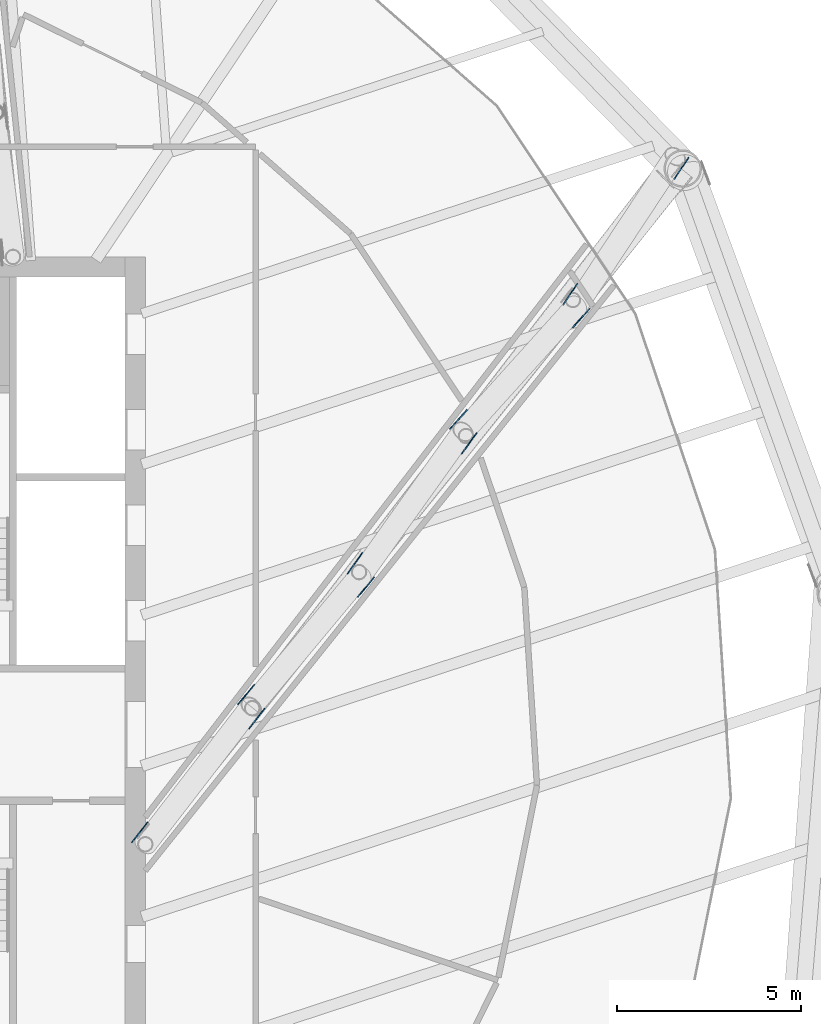
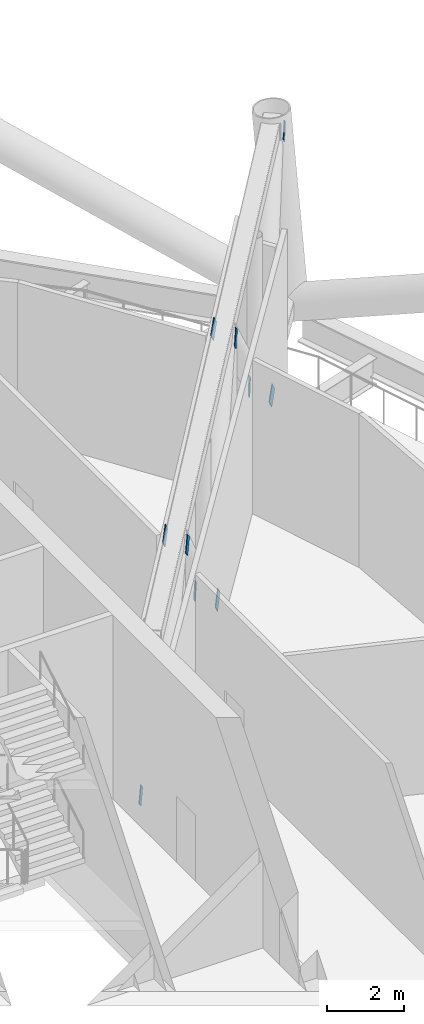
# One storey, part 16 of 33: 10 discrete accessories.
"""IFC4 building model written with IfcOpenShell, lengths in metres."""

from ifc_helpers import new_model, si_unit, direction, frame, origin, origin_2d, place, context, subcontext, project, spatial, rectangle, extrude, material, material_profile, profile_set, type_object, element, save


model = new_model("IFC4")

# Units and contexts
model_context = context("Model", 3, precision=1e-05, world=origin(), true_north=direction((0.0, 1.0)))
body_context = subcontext(model_context, "Body", "Model", "MODEL_VIEW")
ifc_project = project(units=[si_unit("LENGTHUNIT", "METRE"), si_unit("AREAUNIT", "SQUARE_METRE"), si_unit("VOLUMEUNIT", "CUBIC_METRE"), si_unit("PLANEANGLEUNIT", "RADIAN"), si_unit("MASSUNIT", "GRAM", prefix="KILO")], contexts=[model_context])

# Site, building, storey
site_placement = place(None, origin())
site = spatial("IfcSite", under=ifc_project, at=site_placement, CompositionType="ELEMENT")
building_placement = place(site_placement, origin())
building = spatial("IfcBuilding", under=site, at=building_placement, Name="Tarsis Ring Headquarters", CompositionType="ELEMENT")
storey_placement = place(building_placement, frame((0.0, 0.0, 302.0)))
storey = spatial("IfcBuildingStorey", under=building, at=storey_placement, Name="L71", CompositionType="ELEMENT", Elevation=302.0)

# Discrete accessories
ifc_material = material(Name="Structural steel S355", Category="steel")
ifc_material_profile = material_profile(ifc_material, rectangle(XDim=0.02490234375, YDim=0.5, at=origin_2d()), Name="PL 25x500")
ifc_profile_set = profile_set([ifc_material_profile], Name="Structural steel S355")
discrete_accessory_type = type_object("IfcDiscreteAccessoryType", Name="Gusset plate Outrigger 25", PredefinedType="BRACKET", material=ifc_profile_set)
discrete_accessory_1_placement = place(storey_placement, frame((9.748779296875, -2.791259765625, 0.25390625), z_axis=(0.40474646197, 0.525340401785, 0.748463602171), x_axis=(-0.792158497541, 0.610315422362, 0.0)))
element("IfcDiscreteAccessory", 1, at=discrete_accessory_1_placement, inside=storey, type_object=discrete_accessory_type, Name="Gusset plate GP1", PredefinedType="BRACKET", context=body_context, shape_type="SweptSolid", body=[
    extrude(rectangle(XDim=0.02490234375, YDim=0.5, at=origin_2d()), origin(), (0.0, 0.0, 1.0), 0.5),
])
discrete_accessory_2_placement = place(storey_placement, frame((13.135498046875, 0.564453125, 5.5859375), z_axis=(-0.404894399601, -0.525532417336, -0.748248757768), x_axis=(0.792158497541, -0.610315422362, 0.0)))
element("IfcDiscreteAccessory", 2, at=discrete_accessory_2_placement, inside=storey, type_object=discrete_accessory_type, Name="Gusset plate GP1", PredefinedType="BRACKET", context=body_context, shape_type="SweptSolid", body=[
    extrude(rectangle(XDim=0.02490234375, YDim=0.5, at=origin_2d()), origin(), (0.0, 0.0, 1.0), 0.499755859375),
])
discrete_accessory_3_placement = place(storey_placement, frame((12.640380859375, 0.9609375, 5.5859375), z_axis=(0.421360851028, 0.50631657302, -0.752395216031), x_axis=(-0.76864640094, 0.639673909365, 0.0)))
element("IfcDiscreteAccessory", 3, at=discrete_accessory_3_placement, inside=storey, type_object=discrete_accessory_type, Name="Gusset plate GP1", PredefinedType="BRACKET", context=body_context, shape_type="SweptSolid", body=[
    extrude(rectangle(XDim=0.02490234375, YDim=0.5, at=origin_2d()), origin(), (0.0, 0.0, 1.0), 0.5),
])
discrete_accessory_4_placement = place(storey_placement, frame((16.112548828125, 4.1396484375, 0.25390625), z_axis=(-0.421206095855, -0.506130615761, 0.752606952269), x_axis=(0.76864640094, -0.639673909365, 0.0)))
element("IfcDiscreteAccessory", 4, at=discrete_accessory_4_placement, inside=storey, type_object=discrete_accessory_type, Name="Gusset plate GP1", PredefinedType="BRACKET", context=body_context, shape_type="SweptSolid", body=[
    extrude(rectangle(XDim=0.02490234375, YDim=0.5, at=origin_2d()), origin(), (0.0, 0.0, 1.0), 0.500244140625),
])
discrete_accessory_5_placement = place(storey_placement, frame((15.6103515625, 4.52685546875, 0.25390625), z_axis=(0.388123773888, 0.543861489449, 0.744025951454), x_axis=(-0.813980249999, 0.580892548249, 0.0)))
element("IfcDiscreteAccessory", 5, at=discrete_accessory_5_placement, inside=storey, type_object=discrete_accessory_type, Name="Gusset plate GP1", PredefinedType="BRACKET", context=body_context, shape_type="SweptSolid", body=[
    extrude(rectangle(XDim=0.02490234375, YDim=0.5, at=origin_2d()), origin(), (0.0, 0.0, 1.0), 0.5),
])
discrete_accessory_6_placement = place(storey_placement, frame((18.910888671875, 8.0595703125, 5.5859375), z_axis=(-0.388576185755, -0.54429955668, -0.743469259931), x_axis=(0.813881405344, -0.581031030183, 0.0)))
element("IfcDiscreteAccessory", 6, at=discrete_accessory_6_placement, inside=storey, type_object=discrete_accessory_type, Name="Gusset plate GP1", PredefinedType="BRACKET", context=body_context, shape_type="SweptSolid", body=[
    extrude(rectangle(XDim=0.02490234375, YDim=0.5, at=origin_2d()), origin(), (0.0, 0.0, 1.0), 0.500244140625),
])
discrete_accessory_7_placement = place(storey_placement, frame((18.416748046875, 8.4560546875, 5.5859375), z_axis=(0.437503702986, 0.486332241265, -0.756354057952), x_axis=(-0.743442588821, 0.668799758618, 0.0)))
element("IfcDiscreteAccessory", 7, at=discrete_accessory_7_placement, inside=storey, type_object=discrete_accessory_type, Name="Gusset plate GP1", PredefinedType="BRACKET", context=body_context, shape_type="SweptSolid", body=[
    extrude(rectangle(XDim=0.02490234375, YDim=0.5, at=origin_2d()), origin(), (0.0, 0.0, 1.0), 0.5),
])
for number, where, z_axis, x_axis, name in (
    (8, (21.972900390625, 11.457763671875, 0.25390625), (-0.437342162949, -0.486152672207, 0.756562893495), (0.743442588821, -0.668799758618, 0.0), "Gusset plate GP1"),
    (9, (21.472412109375, 11.844970703125, 0.25390625), (0.371954469001, 0.562324866521, 0.738539516534), (-0.834049786683, 0.551689181817, 0.0), "Gusset plate GP1"),
):
    element("IfcDiscreteAccessory", number, at=place(storey_placement, frame(where, z_axis=z_axis, x_axis=x_axis)), inside=storey, type_object=discrete_accessory_type, Name=name, PredefinedType="BRACKET", context=body_context, shape_type="SweptSolid", body=[
        extrude(rectangle(XDim=0.02490234375, YDim=0.5, at=origin_2d()), origin(), (0.0, 0.0, 1.0), 0.500244140625),
    ])
discrete_accessory_8_placement = place(storey_placement, frame((24.685546875, 15.5546875, 5.5859375), z_axis=(-0.371667773736, -0.562629796773, -0.738451608265), x_axis=(0.834382906909, -0.551185236248, 0.0)))
element("IfcDiscreteAccessory", 10, at=discrete_accessory_8_placement, inside=storey, type_object=discrete_accessory_type, Name="Gusset plate GP1", PredefinedType="BRACKET", context=body_context, shape_type="SweptSolid", body=[
    extrude(rectangle(XDim=0.02490234375, YDim=0.5, at=origin_2d()), origin(), (0.0, 0.0, 1.0), 0.5),
])

save(model, "model.ifc")
